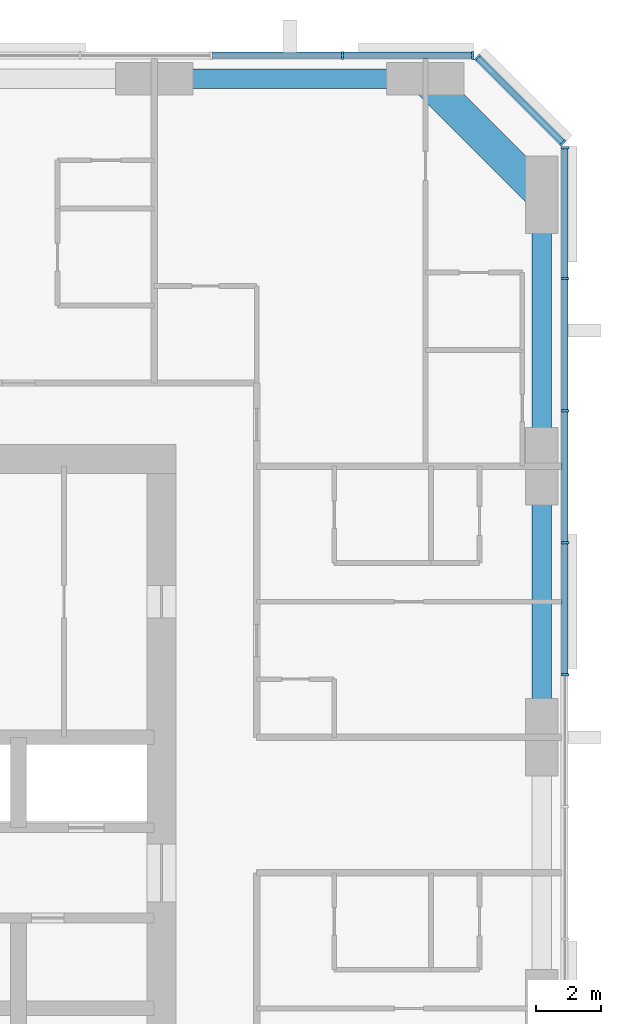
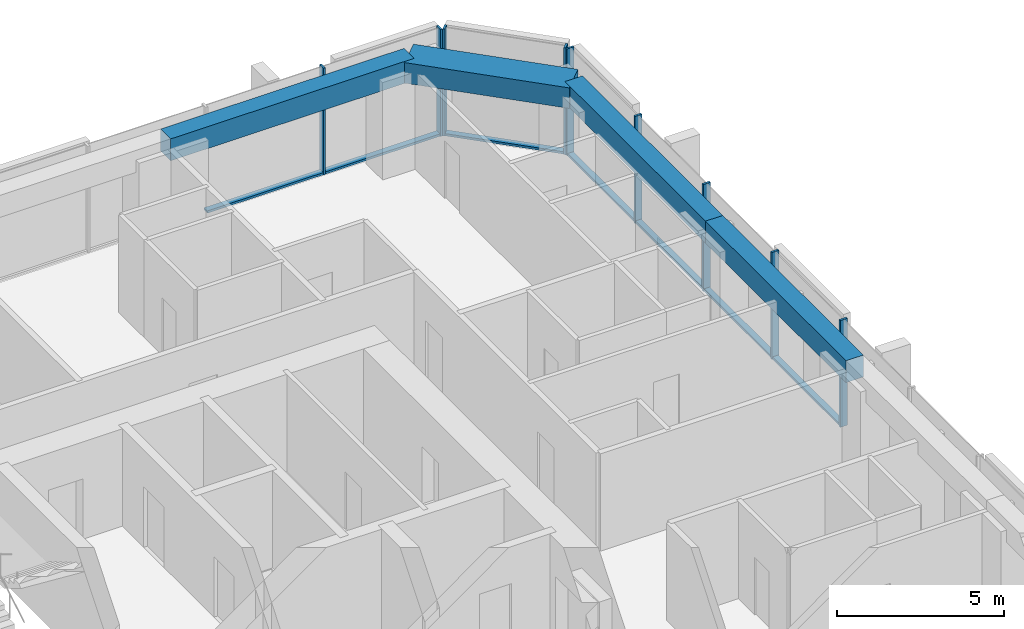
# One storey, part 5 of 12: 16 members, 4 beams, 3 elements without a shape of their own.
"""IFC4 building model written with IfcOpenShell, lengths in metres."""

import ifcopenshell
import ifcopenshell.guid

model = None  # the IFC model being written
_history = None  # IfcOwnerHistory: only IFC2X3 demands one
_inside = {}  # id of a spatial element -> (the spatial element, [elements in it])
_under = {}  # id of a project, library or spatial element -> (it, [spatial elements below it])
_declared = {}  # id of a project -> (the project, [libraries it declares])
_typed = {}  # id of a type object -> (the type object, [elements of that type])
_made_of = {}  # id of a material, layer set ... -> (it, [elements and type objects made of it])


def new_model(schema):
    """Start an empty IFC model of exactly this schema.

    Asked for "IFC4X3", IfcOpenShell would pick the latest addendum, in which some entities
    have other attributes; the version numbers below select the first issue.
    IFC2X3 requires an IfcOwnerHistory on every rooted entity: one is made here for all.
    """
    global model, _history
    if schema == "IFC4X3":
        model = ifcopenshell.file(schema_version=(4, 3, 0, 0))
    else:
        model = ifcopenshell.file(schema=schema)
    _inside.clear()
    _under.clear()
    _declared.clear()
    _typed.clear()
    _made_of.clear()
    _history = None
    if model.schema == "IFC2X3":
        org = make("IfcOrganization", Name="unknown")
        user = make(
            "IfcPersonAndOrganization",
            ThePerson=make("IfcPerson", FamilyName="unknown"),
            TheOrganization=org,
        )
        app = make(
            "IfcApplication",
            ApplicationDeveloper=org,
            Version="unknown",
            ApplicationFullName="unknown",
            ApplicationIdentifier="unknown",
        )
        _history = make(
            "IfcOwnerHistory",
            OwningUser=user,
            OwningApplication=app,
            ChangeAction="ADDED",
            CreationDate=0,
        )
    return model


def make(cls, **values):
    """One entity of the class cls with the attributes given. An attribute that is None is left unset."""
    return model.create_entity(
        cls, **{name: value for name, value in values.items() if value is not None}
    )


def rooted(cls, **values):
    """An entity with a GlobalId (a new one), such as an element, a storey or a relation."""
    return make(cls, GlobalId=ifcopenshell.guid.new(), OwnerHistory=_history, **values)


def si_unit(unit_type, name, prefix=None):
    """IfcSIUnit, for example si_unit("LENGTHUNIT", "METRE", prefix="MILLI")."""
    return make("IfcSIUnit", UnitType=unit_type, Prefix=prefix, Name=name)


def assignment(units):
    """IfcUnitAssignment: the units of a project."""
    return None if units is None else make("IfcUnitAssignment", Units=units)


def point(xyz):
    """IfcCartesianPoint."""
    return None if xyz is None else make("IfcCartesianPoint", Coordinates=xyz)


def direction(xyz):
    """IfcDirection."""
    return None if xyz is None else make("IfcDirection", DirectionRatios=xyz)


def frame(location, z_axis=None, x_axis=None):
    """IfcAxis2Placement3D, a coordinate frame: its origin and axes. An axis left out is left unset."""
    return make(
        "IfcAxis2Placement3D",
        Location=point(location),
        Axis=direction(z_axis),
        RefDirection=direction(x_axis),
    )


def frame_2d(location, x_axis=None):
    """IfcAxis2Placement2D, a coordinate frame in the plane: its origin and x axis."""
    return make(
        "IfcAxis2Placement2D", Location=point(location), RefDirection=direction(x_axis)
    )


def origin():
    """The frame at (0, 0, 0) with its axes left unset."""
    return frame((0.0, 0.0, 0.0))


def origin_2d():
    """The frame at (0, 0) in the plane with its x axis left unset."""
    return frame_2d((0.0, 0.0))


def place(relative_to, where):
    """IfcLocalPlacement: puts the frame where relative to a parent placement (None: the world)."""
    return make(
        "IfcLocalPlacement", PlacementRelTo=relative_to, RelativePlacement=where
    )


def context(
    kind, dimensions, precision=None, world=None, true_north=None, identifier=None
):
    """IfcGeometricRepresentationContext, for example the 3D "Model" context."""
    return make(
        "IfcGeometricRepresentationContext",
        ContextIdentifier=identifier,
        ContextType=kind,
        CoordinateSpaceDimension=dimensions,
        Precision=precision,
        WorldCoordinateSystem=world,
        TrueNorth=true_north,
    )


def subcontext(parent, identifier, kind, view, scale=None):
    """IfcGeometricRepresentationSubContext, for example "Body" below "Model"."""
    return make(
        "IfcGeometricRepresentationSubContext",
        ContextIdentifier=identifier,
        ContextType=kind,
        ParentContext=parent,
        TargetScale=scale,
        TargetView=view,
    )


def project(units=None, contexts=None):
    """IfcProject with its units and contexts."""
    return rooted(
        "IfcProject",
        Name="project",
        RepresentationContexts=contexts,
        UnitsInContext=assignment(units),
    )


def spatial(cls, under=None, at=None, **own):
    """A site, building, storey or space (cls), placed at a placement, below another one or the project."""
    s = rooted(cls, ObjectPlacement=at, **own)
    if under is not None:
        _under.setdefault(under.id(), (under, []))[1].append(s)
    return s


def profile(cls, at=None, kind="AREA", **sizes):
    """A parametric profile (cls). Its sizes go by their IFC names, for example OverallWidth=200.0."""
    return make(cls, ProfileType=kind, Position=at, **sizes)


def rectangle(**sizes):
    """IfcRectangleProfileDef."""
    return profile("IfcRectangleProfileDef", **sizes)


def extrude(swept, where, along, depth):
    """IfcExtrudedAreaSolid: the profile swept, set in the frame where, extruded along a direction by depth."""
    return make(
        "IfcExtrudedAreaSolid",
        SweptArea=swept,
        Position=where,
        ExtrudedDirection=direction(along),
        Depth=depth,
    )


def shape(context_of_items, identifier, shape_type, items):
    """IfcShapeRepresentation: the items that make up one representation, for example the "Body"."""
    return make(
        "IfcShapeRepresentation",
        ContextOfItems=context_of_items,
        RepresentationIdentifier=identifier,
        RepresentationType=shape_type,
        Items=items,
    )


def material(Name=None, Category=None):
    """IfcMaterial."""
    return make("IfcMaterial", Name=Name, Category=Category)


def material_profile(
    of_material, cross_section, Name=None, Category=None, Priority=None
):
    """IfcMaterialProfile: a cross section and its material."""
    return make(
        "IfcMaterialProfile",
        Name=Name,
        Material=of_material,
        Profile=cross_section,
        Priority=Priority,
        Category=Category,
    )


def profile_set(profiles, Name=None, composite=None):
    """IfcMaterialProfileSet."""
    return make(
        "IfcMaterialProfileSet",
        Name=Name,
        MaterialProfiles=profiles,
        CompositeProfile=composite,
    )


def made_of(thing, what):
    """Note that an element or type object is made of a material, layer set ...; save() writes the relation."""
    if what is not None:
        _made_of.setdefault(what.id(), (what, []))[1].append(thing)
    return thing


def type_object(cls, material=None, **own):
    """A type object (cls), such as IfcWallType, which elements share."""
    return made_of(rooted(cls, **own), material)


def element(
    cls,
    number,
    at=None,
    inside=None,
    cuts=None,
    type_object=None,
    material=None,
    context=None,
    identifier="Body",
    shape_type=None,
    held_by="IfcProductDefinitionShape",
    body=None,
    shapes=None,
    **own,
):
    """One element of the class cls, such as IfcWall. Its Tag is "e" and its number.

    at: its placement. inside: the storey or other place that contains it. cuts: it is an
    opening in that element (IfcRelVoidsElement). A single representation is given by context,
    identifier, shape_type and body (its items); several are given by shapes. held_by: the class
    of the entity that holds the representations. save() writes the other relations.
    """
    e = rooted(cls, Tag="e%d" % number, ObjectPlacement=at, **own)
    if body is not None:
        shapes = [shape(context, identifier, shape_type, body)]
    if shapes is not None:
        e.Representation = make(held_by, Representations=shapes)
    if inside is not None:
        _inside.setdefault(inside.id(), (inside, []))[1].append(e)
    if cuts is not None:
        rooted(
            "IfcRelVoidsElement", RelatingBuildingElement=cuts, RelatedOpeningElement=e
        )
    if type_object is not None:
        _typed.setdefault(type_object.id(), (type_object, []))[1].append(e)
    return made_of(e, material)


def aggregate(whole, parts):
    """IfcRelAggregates: a whole, such as a stair, and the parts it consists of."""
    return rooted("IfcRelAggregates", RelatingObject=whole, RelatedObjects=parts)


def save(model, path):
    """Write the relations noted so far, then the file.

    IfcRelAggregates (storeys below a building ...), IfcRelContainedInSpatialStructure (elements
    in a storey), IfcRelDefinesByType, IfcRelAssociatesMaterial and IfcRelDeclares: one each for
    every whole, place, type object, material and project.
    """
    for whole, parts in _under.values():
        aggregate(whole, parts)
    for where, things in _inside.values():
        rooted(
            "IfcRelContainedInSpatialStructure",
            RelatedElements=things,
            RelatingStructure=where,
        )
    for kind, things in _typed.values():
        rooted("IfcRelDefinesByType", RelatedObjects=things, RelatingType=kind)
    for what, things in _made_of.values():
        rooted("IfcRelAssociatesMaterial", RelatedObjects=things, RelatingMaterial=what)
    for by, libraries in _declared.values():
        rooted("IfcRelDeclares", RelatingContext=by, RelatedDefinitions=libraries)
    model.write(path)


model = new_model("IFC4")

# Units and contexts
model_context = context("Model", 3, precision=1e-05, world=origin(), true_north=direction((0.0, 1.0)))
body_context = subcontext(model_context, "Body", "Model", "MODEL_VIEW")
ifc_project = project(units=[si_unit("LENGTHUNIT", "METRE"), si_unit("AREAUNIT", "SQUARE_METRE"), si_unit("VOLUMEUNIT", "CUBIC_METRE"), si_unit("PLANEANGLEUNIT", "RADIAN"), si_unit("MASSUNIT", "GRAM", prefix="KILO")], contexts=[model_context])

# Site, building, storey
site_placement = place(None, origin())
site = spatial("IfcSite", under=ifc_project, at=site_placement, CompositionType="ELEMENT")
building_placement = place(site_placement, origin())
building = spatial("IfcBuilding", under=site, at=building_placement, Name="Dunama Terrace Hotel", CompositionType="ELEMENT")
storey_placement = place(building_placement, frame((0.0, 0.0, 237.300048828125)))
storey = spatial("IfcBuildingStorey", under=building, at=storey_placement, Name="L61", CompositionType="ELEMENT", Elevation=237.300048828125)

# Curtain wall, members
ifc_material_1 = material(Name="Aluminium curtain wall system", Category="aluminium")
curtain_wall_type = type_object("IfcCurtainWallType", Name="Unitised fritted glass wall CW-D", PredefinedType="NOTDEFINED", material=ifc_material_1)
curtain_wall_1_placement = place(storey_placement, origin())
curtain_wall_1 = element("IfcCurtainWall", 1, at=curtain_wall_1_placement, inside=storey, type_object=curtain_wall_type, Name="Unitised fritted glass wall CW-D L61", PredefinedType="NOTDEFINED")
ifc_material_2 = material(Name="Aluminium mullion", Category="aluminium")
ifc_material_profile_1 = material_profile(ifc_material_2, rectangle(XDim=0.070068359375, YDim=0.239990234375, at=origin_2d()), Name="CWD MULLION 70X240")
ifc_profile_set_1 = profile_set([ifc_material_profile_1], Name="Aluminium mullion")
member_type_1 = type_object("IfcMemberType", Name="CWD mullion 70x240", PredefinedType="MULLION", material=ifc_profile_set_1)
member_1_placement = place(storey_placement, frame((54.719970703125, 35.535888671875, 0.0), z_axis=(0.0, 0.0, 1.0), x_axis=(0.0, 1.0, 0.0)))
member_1 = element("IfcMember", 2, at=member_1_placement, type_object=member_type_1, Name="CWD mullion", PredefinedType="MULLION", context=body_context, shape_type="SweptSolid", body=[
    extrude(rectangle(XDim=0.070068359375, YDim=0.239990234375, at=origin_2d()), origin(), (0.0, 0.0, 1.0), 3.89990234375),
])
member_2_placement = place(storey_placement, frame((54.719970703125, 39.626953125, 0.0), z_axis=(0.0, 0.0, 1.0), x_axis=(0.0, 1.0, 0.0)))
member_2 = element("IfcMember", 3, at=member_2_placement, type_object=member_type_1, Name="CWD mullion", PredefinedType="MULLION", context=body_context, shape_type="SweptSolid", body=[
    extrude(rectangle(XDim=0.070068359375, YDim=0.239990234375, at=origin_2d()), origin(), (0.0, 0.0, 1.0), 3.89990234375),
])
member_3_placement = place(storey_placement, frame((54.719970703125, 43.718017578125, 0.0), z_axis=(0.0, 0.0, 1.0), x_axis=(0.0, 1.0, 0.0)))
member_3 = element("IfcMember", 4, at=member_3_placement, type_object=member_type_1, Name="CWD mullion", PredefinedType="MULLION", context=body_context, shape_type="SweptSolid", body=[
    extrude(rectangle(XDim=0.070068359375, YDim=0.239990234375, at=origin_2d()), origin(), (0.0, 0.0, 1.0), 3.89990234375),
])
member_4_placement = place(storey_placement, frame((54.719970703125, 47.80908203125, 0.0), z_axis=(0.0, 0.0, 1.0), x_axis=(0.0, 1.0, 0.0)))
member_4 = element("IfcMember", 5, at=member_4_placement, type_object=member_type_1, Name="CWD mullion", PredefinedType="MULLION", context=body_context, shape_type="SweptSolid", body=[
    extrude(rectangle(XDim=0.070068359375, YDim=0.239990234375, at=origin_2d()), origin(), (0.0, 0.0, 1.0), 3.89990234375),
])
member_5_placement = place(storey_placement, frame((54.719970703125, 51.864990234375, 0.0), z_axis=(0.0, 0.0, 1.0), x_axis=(0.0, 1.0, 0.0)))
member_5 = element("IfcMember", 6, at=member_5_placement, type_object=member_type_1, Name="CWD mullion", PredefinedType="MULLION", context=body_context, shape_type="SweptSolid", body=[
    extrude(rectangle(XDim=0.070068359375, YDim=0.239990234375, at=origin_2d()), origin(), (0.0, 0.0, 1.0), 3.89990234375),
])

curtain_wall_2_placement = place(storey_placement, origin())
curtain_wall_2 = element("IfcCurtainWall", 7, at=curtain_wall_2_placement, inside=storey, type_object=curtain_wall_type, Name="Unitised fritted glass wall CW-D L61", PredefinedType="NOTDEFINED")
member_6_placement = place(storey_placement, frame((54.659912109375, 52.010009765625, 0.0), z_axis=(0.0, 0.0, 1.0), x_axis=(-0.707106781187, 0.707106781187, 0.0)))
member_6 = element("IfcMember", 8, at=member_6_placement, type_object=member_type_1, Name="CWD mullion", PredefinedType="MULLION", context=body_context, shape_type="SweptSolid", body=[
    extrude(rectangle(XDim=0.070068359375, YDim=0.239990234375, at=origin_2d()), origin(), (0.0, 0.0, 1.0), 3.89990234375),
])
member_7_placement = place(storey_placement, frame((52.010009765625, 54.659912109375, 0.0), z_axis=(0.0, 0.0, 1.0), x_axis=(-0.707106781187, 0.707106781187, 0.0)))
member_7 = element("IfcMember", 9, at=member_7_placement, type_object=member_type_1, Name="CWD mullion", PredefinedType="MULLION", context=body_context, shape_type="SweptSolid", body=[
    extrude(rectangle(XDim=0.070068359375, YDim=0.239990234375, at=origin_2d()), origin(), (0.0, 0.0, 1.0), 3.89990234375),
])

curtain_wall_3_placement = place(storey_placement, origin())
curtain_wall_3 = element("IfcCurtainWall", 10, at=curtain_wall_3_placement, inside=storey, type_object=curtain_wall_type, Name="Unitised fritted glass wall CW-D L61", PredefinedType="NOTDEFINED")
member_8_placement = place(storey_placement, frame((51.864990234375, 54.719970703125, 0.0), z_axis=(0.0, 0.0, 1.0), x_axis=(-1.0, 0.0, 0.0)))
member_8 = element("IfcMember", 11, at=member_8_placement, type_object=member_type_1, Name="CWD mullion", PredefinedType="MULLION", context=body_context, shape_type="SweptSolid", body=[
    extrude(rectangle(XDim=0.070068359375, YDim=0.239990234375, at=origin_2d()), origin(), (0.0, 0.0, 1.0), 3.89990234375),
])
member_9_placement = place(storey_placement, frame((47.8330078125, 54.719970703125, 0.0), z_axis=(0.0, 0.0, 1.0), x_axis=(-1.0, 0.0, 0.0)))
member_9 = element("IfcMember", 12, at=member_9_placement, type_object=member_type_1, Name="CWD mullion", PredefinedType="MULLION", context=body_context, shape_type="SweptSolid", body=[
    extrude(rectangle(XDim=0.070068359375, YDim=0.239990234375, at=origin_2d()), origin(), (0.0, 0.0, 1.0), 3.89990234375),
])

# Member
ifc_material_3 = material(Name="Aluminium transom", Category="aluminium")
ifc_material_profile_2 = material_profile(ifc_material_3, rectangle(XDim=0.199951171875, YDim=0.0849609375, at=origin_2d()), Name="CWD TRANSOM 200X85")
ifc_profile_set_2 = profile_set([ifc_material_profile_2], Name="Aluminium transom")
member_type_2 = type_object("IfcMemberType", Name="CWD transom 200x85", PredefinedType="USERDEFINED", material=ifc_profile_set_2)
member_10_placement = place(storey_placement, frame((54.719970703125, 35.571044921875, 0.04248046875), z_axis=(0.0, 1.0, 0.0), x_axis=(-1.0, 0.0, 0.0)))
member_10 = element("IfcMember", 13, at=member_10_placement, type_object=member_type_2, Name="CWD transom", ObjectType="TRANSOM", PredefinedType="USERDEFINED", context=body_context, shape_type="SweptSolid", body=[
    extrude(rectangle(XDim=0.199951171875, YDim=0.0849609375, at=origin_2d()), origin(), (0.0, 0.0, 1.0), 4.02099609375),
])

member_11_placement = place(storey_placement, frame((54.719970703125, 39.662109375, 0.04248046875), z_axis=(0.0, 1.0, 0.0), x_axis=(-1.0, 0.0, 0.0)))
member_11 = element("IfcMember", 14, at=member_11_placement, type_object=member_type_2, Name="CWD transom", ObjectType="TRANSOM", PredefinedType="USERDEFINED", context=body_context, shape_type="SweptSolid", body=[
    extrude(rectangle(XDim=0.199951171875, YDim=0.0849609375, at=origin_2d()), origin(), (0.0, 0.0, 1.0), 4.02099609375),
])

member_12_placement = place(storey_placement, frame((54.719970703125, 43.7529296875, 0.04248046875), z_axis=(0.0, 1.0, 0.0), x_axis=(-1.0, 0.0, 0.0)))
member_12 = element("IfcMember", 15, at=member_12_placement, type_object=member_type_2, Name="CWD transom", ObjectType="TRANSOM", PredefinedType="USERDEFINED", context=body_context, shape_type="SweptSolid", body=[
    extrude(rectangle(XDim=0.199951171875, YDim=0.0849609375, at=origin_2d()), origin(), (0.0, 0.0, 1.0), 4.02099609375),
])

member_13_placement = place(storey_placement, frame((54.719970703125, 47.843994140625, 0.04248046875), z_axis=(0.0, 1.0, 0.0), x_axis=(-1.0, 0.0, 0.0)))
member_13 = element("IfcMember", 16, at=member_13_placement, type_object=member_type_2, Name="CWD transom", ObjectType="TRANSOM", PredefinedType="USERDEFINED", context=body_context, shape_type="SweptSolid", body=[
    extrude(rectangle(XDim=0.199951171875, YDim=0.0849609375, at=origin_2d()), origin(), (0.0, 0.0, 1.0), 3.986083984375),
])

aggregate(curtain_wall_1, [member_1, member_2, member_3, member_4, member_5, member_10, member_11, member_12, member_13])

member_14_placement = place(storey_placement, frame((54.635009765625, 52.033935546875, 0.04248046875), z_axis=(-0.707106781187, 0.707106781187, 0.0), x_axis=(-0.707106781187, -0.707106781187, 0.0)))
member_14 = element("IfcMember", 17, at=member_14_placement, type_object=member_type_2, Name="CWD transom", ObjectType="TRANSOM", PredefinedType="USERDEFINED", context=body_context, shape_type="SweptSolid", body=[
    extrude(rectangle(XDim=0.199951171875, YDim=0.0849609375, at=origin_2d()), origin(), (0.0, 0.0, 1.0), 3.678466796875),
])

aggregate(curtain_wall_2, [member_6, member_7, member_14])

member_15_placement = place(storey_placement, frame((51.830078125, 54.719970703125, 0.04248046875), z_axis=(-1.0, 0.0, 0.0), x_axis=(0.0, -1.0, 0.0)))
member_15 = element("IfcMember", 18, at=member_15_placement, type_object=member_type_2, Name="CWD transom", ObjectType="TRANSOM", PredefinedType="USERDEFINED", context=body_context, shape_type="SweptSolid", body=[
    extrude(rectangle(XDim=0.199951171875, YDim=0.0849609375, at=origin_2d()), origin(), (0.0, 0.0, 1.0), 3.962158203125),
])

member_16_placement = place(storey_placement, frame((47.798095703125, 54.719970703125, 0.04248046875), z_axis=(-1.0, 0.0, 0.0), x_axis=(0.0, -1.0, 0.0)))
member_16 = element("IfcMember", 19, at=member_16_placement, type_object=member_type_2, Name="CWD transom", ObjectType="TRANSOM", PredefinedType="USERDEFINED", context=body_context, shape_type="SweptSolid", body=[
    extrude(rectangle(XDim=0.199951171875, YDim=0.0849609375, at=origin_2d()), origin(), (0.0, 0.0, 1.0), 3.99609375),
])

aggregate(curtain_wall_3, [member_8, member_9, member_15, member_16])

# Beams
ifc_material_4 = material(Name="Concrete C50/60", Category="concrete")
ifc_material_profile_3 = material_profile(ifc_material_4, rectangle(XDim=1.0, YDim=0.75, at=origin_2d()), Name="RC 1000x750")
ifc_profile_set_3 = profile_set([ifc_material_profile_3], Name="Concrete C50/60")
beam_type_1 = type_object("IfcBeamType", Name="Edge beam RC 1000x750", PredefinedType="SPANDREL", material=ifc_profile_set_3)
beam_placement = place(storey_placement, frame((50.39990234375, 54.0, 3.52490234375), z_axis=(0.707106781187, -0.707106781187, 0.0), x_axis=(0.707106781187, 0.707106781187, 0.0)))
element("IfcBeam", 20, at=beam_placement, inside=storey, type_object=beam_type_1, Name="Corner edge beam under L62", PredefinedType="SPANDREL", context=body_context, shape_type="SweptSolid", body=[
    extrude(rectangle(XDim=1.0, YDim=0.75, at=origin_2d()), origin(), (0.0, 0.0, 1.0), 5.09130859375),
])
ifc_material_5 = material(Name="Concrete C40/50", Category="concrete")
ifc_material_profile_4 = material_profile(ifc_material_5, rectangle(XDim=0.60009765625, YDim=0.800048828125, at=origin_2d()), Name="RC 600x800")
ifc_profile_set_4 = profile_set([ifc_material_profile_4], Name="Concrete C40/50")
beam_type_2 = type_object("IfcBeamType", Name="Edge beam RC 600x800", PredefinedType="SPANDREL", material=ifc_profile_set_4)
for number, where, z_axis, x_axis, name in (
    (21, (54.0, 33.60009765625, 3.5), (0.0, 1.0, 0.0), (-1.0, 0.0, 0.0), "Edge beam under L62"),
    (22, (54.0, 42.0, 3.5), (0.0, 1.0, 0.0), (-1.0, 0.0, 0.0), "Edge beam under L62"),
    (23, (42.0, 54.0, 3.5), (1.0, 0.0, 0.0), (0.0, 1.0, 0.0), "Edge beam under L62"),
):
    element("IfcBeam", number, at=place(storey_placement, frame(where, z_axis=z_axis, x_axis=x_axis)), inside=storey, type_object=beam_type_2, Name=name, PredefinedType="SPANDREL", context=body_context, shape_type="SweptSolid", body=[
        extrude(rectangle(XDim=0.60009765625, YDim=0.800048828125, at=origin_2d()), origin(), (0.0, 0.0, 1.0), 8.39990234375),
    ])

save(model, "model.ifc")
